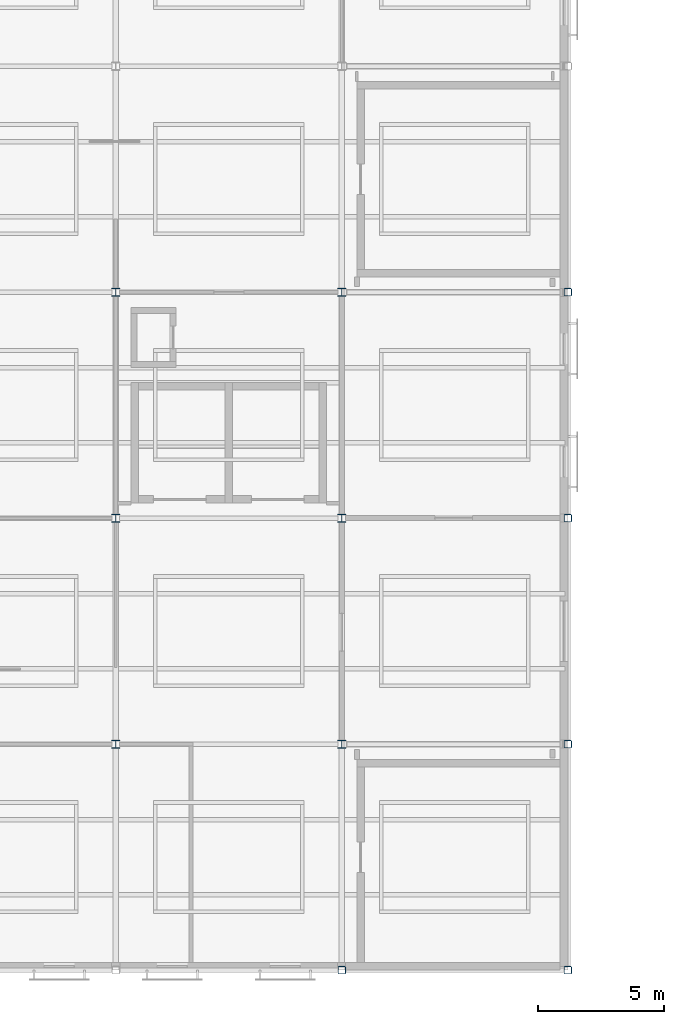
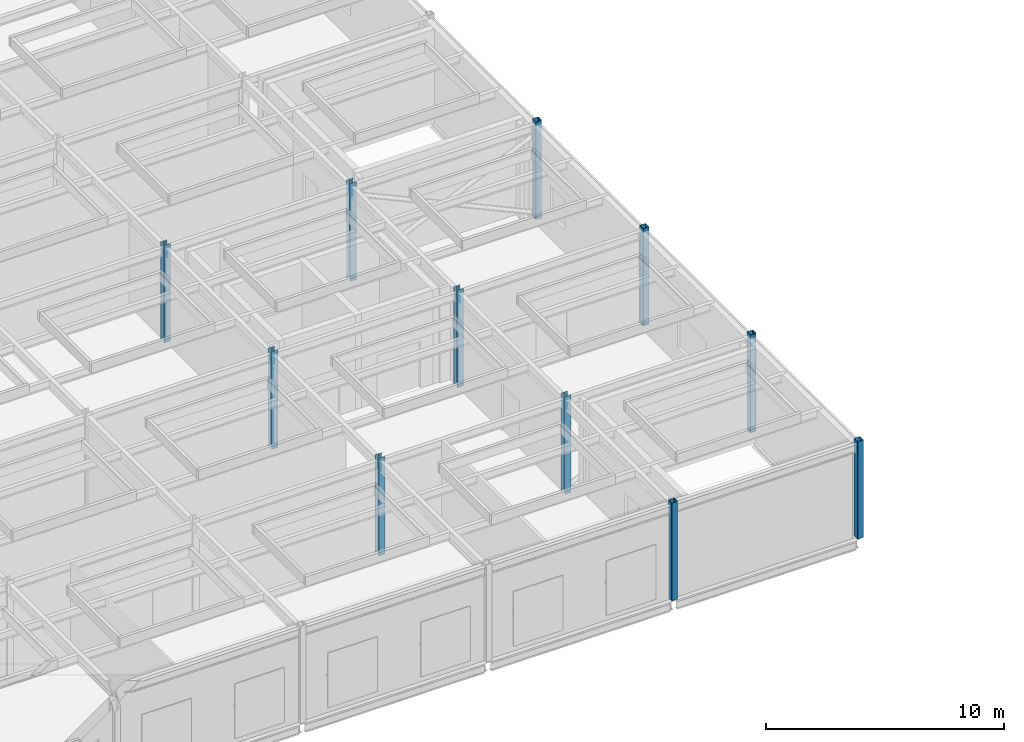
# One storey, part 5 of 115: 11 columns.
"""IFC4 building model written with IfcOpenShell, lengths in metres."""

from ifc_helpers import new_model, si_unit, direction, frame, origin, origin_2d, place, context, subcontext, project, spatial, hollow_rectangle, i_section, extrude, material, material_profile, profile_set, type_object, element, save


model = new_model("IFC4")

# Units and contexts
model_context = context("Model", 3, precision=1e-05, world=origin(), true_north=direction((0.0, 1.0)))
body_context = subcontext(model_context, "Body", "Model", "MODEL_VIEW")
ifc_project = project(units=[si_unit("LENGTHUNIT", "METRE"), si_unit("AREAUNIT", "SQUARE_METRE"), si_unit("VOLUMEUNIT", "CUBIC_METRE"), si_unit("PLANEANGLEUNIT", "RADIAN"), si_unit("MASSUNIT", "GRAM", prefix="KILO")], contexts=[model_context])

# Site, building, storey
site_placement = place(None, origin())
site = spatial("IfcSite", under=ifc_project, at=site_placement, CompositionType="ELEMENT")
building_placement = place(site_placement, origin())
building = spatial("IfcBuilding", under=site, at=building_placement, Name="Shorebreak Coast Museum", CompositionType="ELEMENT")
storey_placement = place(building_placement, frame((0.0, 0.0, 11.0)))
storey = spatial("IfcBuildingStorey", under=building, at=storey_placement, Name="L02", CompositionType="ELEMENT", Elevation=11.0)

# Columns
ifc_material_1 = material(Name="Steel Grade C450L0", Category="steel")
ifc_material_profile_1 = material_profile(ifc_material_1, hollow_rectangle(XDim=0.300048828125, YDim=0.300048828125, WallThickness=0.012451171875, InnerFilletRadius=0.018798828125, OuterFilletRadius=0.03125, at=origin_2d()), Name="300x300x12.5 SHS")
ifc_profile_set_1 = profile_set([ifc_material_profile_1], Name="Steel Grade C450L0")
column_type_1 = type_object("IfcColumnType", Name="Column 300x300x12.5 SHS", PredefinedType="COLUMN", material=ifc_profile_set_1)
for number, where, z_axis, x_axis, name in (
    (1, (108.0, 0.0, 0.0), (0.0, 0.0, 1.0), (1.0, 0.0, 0.0), "Column L02 13A"),
    (2, (117.0, 0.0, 0.0), (0.0, 0.0, 1.0), (1.0, 0.0, 0.0), "Column L02 14A"),
    (3, (117.0, 9.0, 0.0), (0.0, 0.0, 1.0), (1.0, 0.0, 0.0), "Column L02 14B"),
    (4, (117.0, 18.0, 0.0), (0.0, 0.0, 1.0), (1.0, 0.0, 0.0), "Column L02 14C"),
    (5, (117.0, 27.0, 0.0), (0.0, 0.0, 1.0), (1.0, 0.0, 0.0), "Column L02 14D"),
):
    element("IfcColumn", number, at=place(storey_placement, frame(where, z_axis=z_axis, x_axis=x_axis)), inside=storey, type_object=column_type_1, Name=name, PredefinedType="COLUMN", context=body_context, shape_type="SweptSolid", body=[
        extrude(hollow_rectangle(XDim=0.300048828125, YDim=0.300048828125, WallThickness=0.012451171875, InnerFilletRadius=0.018798828125, OuterFilletRadius=0.03125, at=origin_2d()), origin(), (0.0, 0.0, 1.0), 5.0),
    ])
ifc_material_2 = material(Name="Steel Grade 300", Category="steel")
ifc_material_profile_2 = material_profile(ifc_material_2, i_section(OverallWidth=0.306884765625, OverallDepth=0.314697265625, WebThickness=0.011962890625, FlangeThickness=0.018798828125, FilletRadius=0.0166015625, at=origin_2d()), Name="310UC118")
ifc_profile_set_2 = profile_set([ifc_material_profile_2], Name="Steel Grade 300")
column_type_2 = type_object("IfcColumnType", Name="Column 310UC118", PredefinedType="COLUMN", material=ifc_profile_set_2)
for number, where, z_axis, x_axis, name in (
    (6, (99.0, 9.0, 0.0), (0.0, 0.0, 1.0), (1.0, 0.0, 0.0), "Column L02 12B"),
    (7, (108.0, 9.0, 0.0), (0.0, 0.0, 1.0), (1.0, 0.0, 0.0), "Column L02 13B"),
    (8, (99.0, 18.0, 0.0), (0.0, 0.0, 1.0), (1.0, 0.0, 0.0), "Column L02 12C"),
    (9, (108.0, 18.0, 0.0), (0.0, 0.0, 1.0), (1.0, 0.0, 0.0), "Column L02 13C"),
    (10, (99.0, 27.0, 0.0), (0.0, 0.0, 1.0), (1.0, 0.0, 0.0), "Column L02 12D"),
    (11, (108.0, 27.0, 0.0), (0.0, 0.0, 1.0), (1.0, 0.0, 0.0), "Column L02 13D"),
):
    element("IfcColumn", number, at=place(storey_placement, frame(where, z_axis=z_axis, x_axis=x_axis)), inside=storey, type_object=column_type_2, Name=name, PredefinedType="COLUMN", context=body_context, shape_type="SweptSolid", body=[
        extrude(i_section(OverallWidth=0.306884765625, OverallDepth=0.314697265625, WebThickness=0.011962890625, FlangeThickness=0.018798828125, FilletRadius=0.0166015625, at=origin_2d()), origin(), (0.0, 0.0, 1.0), 5.0),
    ])

save(model, "model.ifc")
